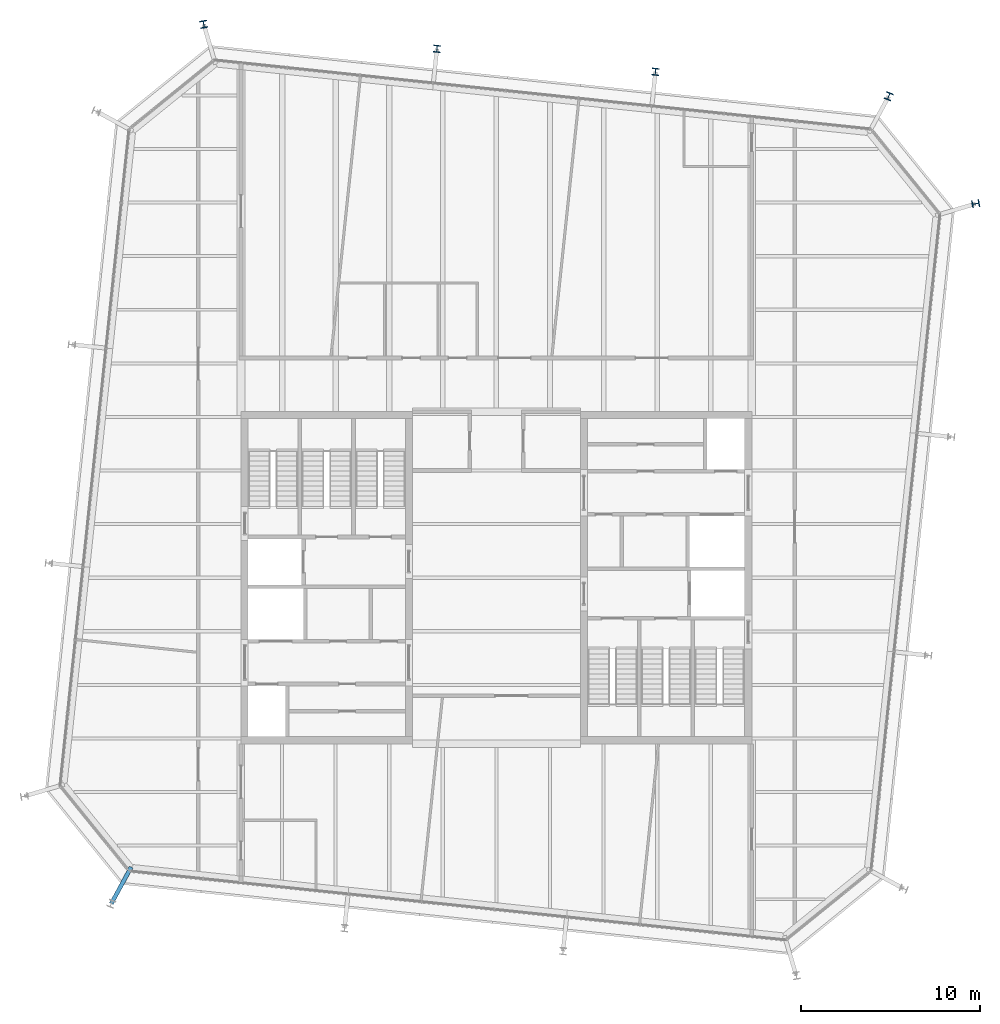
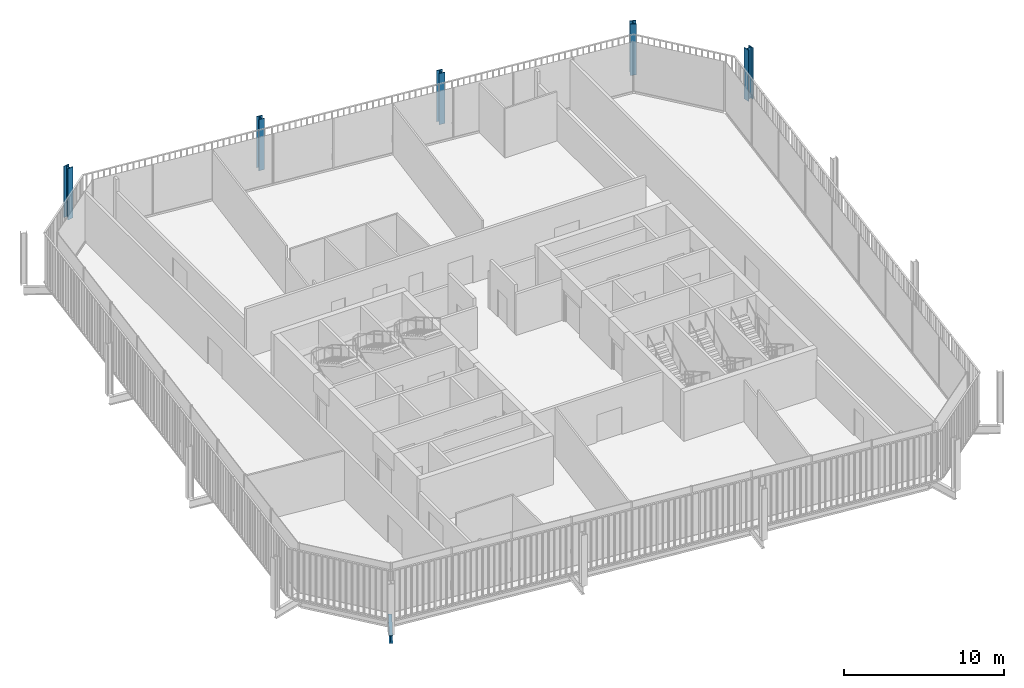
# One storey, part 2 of 20: 5 columns, 1 beam.
"""IFC4 building model written with IfcOpenShell, lengths in metres."""

from ifc_helpers import new_model, si_unit, direction, frame, origin, origin_2d, place, context, subcontext, project, spatial, i_section, extrude, material, material_profile, profile_set, type_object, element, save


model = new_model("IFC4")

# Units and contexts
model_context = context("Model", 3, precision=1e-05, world=origin(), true_north=direction((0.0, 1.0)))
body_context = subcontext(model_context, "Body", "Model", "MODEL_VIEW")
ifc_project = project(units=[si_unit("LENGTHUNIT", "METRE"), si_unit("AREAUNIT", "SQUARE_METRE"), si_unit("VOLUMEUNIT", "CUBIC_METRE"), si_unit("PLANEANGLEUNIT", "RADIAN"), si_unit("MASSUNIT", "GRAM", prefix="KILO")], contexts=[model_context])

# Site, building, storey
site_placement = place(None, origin())
site = spatial("IfcSite", under=ifc_project, at=site_placement, CompositionType="ELEMENT")
building_placement = place(site_placement, origin())
building = spatial("IfcBuilding", under=site, at=building_placement, Name="Millrace Tower", CompositionType="ELEMENT")
storey_placement = place(building_placement, frame((0.0, 0.0, 303.300048828125)))
storey = spatial("IfcBuildingStorey", under=building, at=storey_placement, Name="L70", CompositionType="ELEMENT", Elevation=303.300048828125)

# Columns
ifc_material_1 = material(Name="Steel ASTM A913 Grade 65", Category="steel")
ifc_material_profile_1 = material_profile(ifc_material_1, i_section(OverallWidth=0.4013671875, OverallDepth=0.398681640625, WebThickness=0.02490234375, FlangeThickness=0.03955078125, FilletRadius=0.01513671875, at=origin_2d()))
ifc_profile_set_1 = profile_set([ifc_material_profile_1], Name="Steel ASTM A913 Grade 65")
column_type_1 = type_object("IfcColumnType", Name="Exoskeleton column W14x211", PredefinedType="COLUMN", material=ifc_profile_set_1)
for number, where, z_axis, x_axis, name in (
    (1, (8.9033203125, 28.321533203125, 0.0), (0.0, 0.0, 1.0), (-0.994521897246, 0.104528445407, 0.0), "COL-E-L70-X11"),
    (2, (-3.329345703125, 29.607177734375, 0.0), (0.0, 0.0, 1.0), (-0.994521897246, 0.104528445407, 0.0), "COL-E-L70-X12"),
):
    element("IfcColumn", number, at=place(storey_placement, frame(where, z_axis=z_axis, x_axis=x_axis)), inside=storey, type_object=column_type_1, Name=name, PredefinedType="COLUMN", context=body_context, shape_type="SweptSolid", body=[
        extrude(i_section(OverallWidth=0.4013671875, OverallDepth=0.398681640625, WebThickness=0.02490234375, FlangeThickness=0.03955078125, FilletRadius=0.01513671875, at=origin_2d()), origin(), (0.0, 0.0, 1.0), 3.89990234375),
    ])
ifc_material_2 = material(Name="Steel ASTM A913 Grade 65", Category="steel")
ifc_material_profile_2 = material_profile(ifc_material_2, i_section(OverallWidth=0.406494140625, OverallDepth=0.41650390625, WebThickness=0.030029296875, FlangeThickness=0.048095703125, FilletRadius=0.01513671875, at=origin_2d()))
ifc_profile_set_2 = profile_set([ifc_material_profile_2], Name="Steel ASTM A913 Grade 65")
column_type_2 = type_object("IfcColumnType", Name="Exoskeleton column W14x257", PredefinedType="COLUMN", material=ifc_profile_set_2)
for number, where, z_axis, x_axis, name in (
    (3, (26.82958984375, 20.935791015625, 0.0), (0.0, 0.0, 1.0), (-0.18038747256, 0.983595628164, 0.0), "COL-E-L70-X09"),
    (4, (21.9599609375, 26.94921875, 0.0), (0.0, 0.0, 1.0), (-0.92459700658, 0.380946683176, 0.0), "COL-E-L70-X10"),
    (5, (-16.3857421875, 30.9794921875, 0.0), (0.0, 0.0, 1.0), (-0.983595628164, -0.18038747256, 0.0), "COL-E-L70-X13"),
):
    element("IfcColumn", number, at=place(storey_placement, frame(where, z_axis=z_axis, x_axis=x_axis)), inside=storey, type_object=column_type_2, Name=name, PredefinedType="COLUMN", context=body_context, shape_type="SweptSolid", body=[
        extrude(i_section(OverallWidth=0.406494140625, OverallDepth=0.41650390625, WebThickness=0.030029296875, FlangeThickness=0.048095703125, FilletRadius=0.01513671875, at=origin_2d()), origin(), (0.0, 0.0, 1.0), 3.89990234375),
    ])

# Beam
ifc_material_3 = material(Name="Steel ASTM A992 Grade 50", Category="steel")
ifc_material_profile_3 = material_profile(ifc_material_3, i_section(OverallWidth=0.23046875, OverallDepth=0.6171875, WebThickness=0.01318359375, FlangeThickness=0.022216796875, FilletRadius=0.012939453125, at=origin_2d()))
ifc_profile_set_3 = profile_set([ifc_material_profile_3], Name="Steel ASTM A992 Grade 50")
beam_type = type_object("IfcBeamType", Name="Link beam W24x94", PredefinedType="BEAM", material=ifc_profile_set_3)
beam_placement = place(storey_placement, frame((-20.447509765625, -16.20068359375, -0.46875), z_axis=(-0.477163510307, -0.87881453358, 0.0), x_axis=(0.87881453358, -0.477163510307, 0.0)))
element("IfcBeam", 6, at=beam_placement, inside=storey, type_object=beam_type, Name="LNK-E-L70-S1-16", PredefinedType="BEAM", context=body_context, shape_type="SweptSolid", body=[
    extrude(i_section(OverallWidth=0.23046875, OverallDepth=0.6171875, WebThickness=0.01318359375, FlangeThickness=0.022216796875, FilletRadius=0.012939453125, at=origin_2d()), origin(), (0.0, 0.0, 1.0), 2.3310546875),
])

save(model, "model.ifc")
